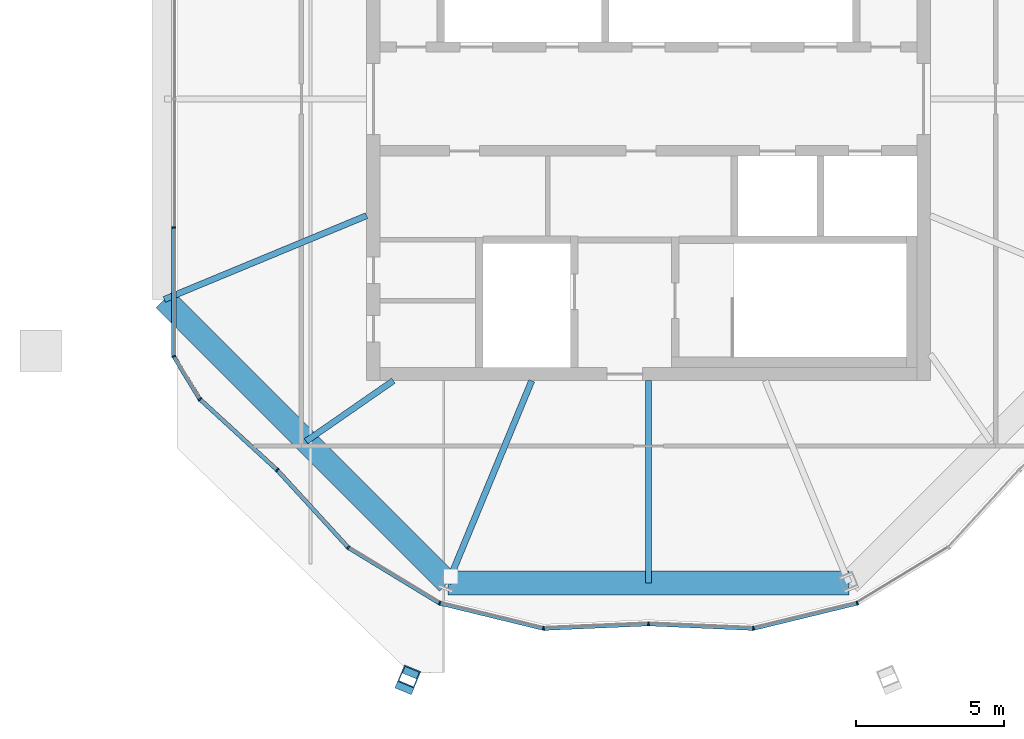
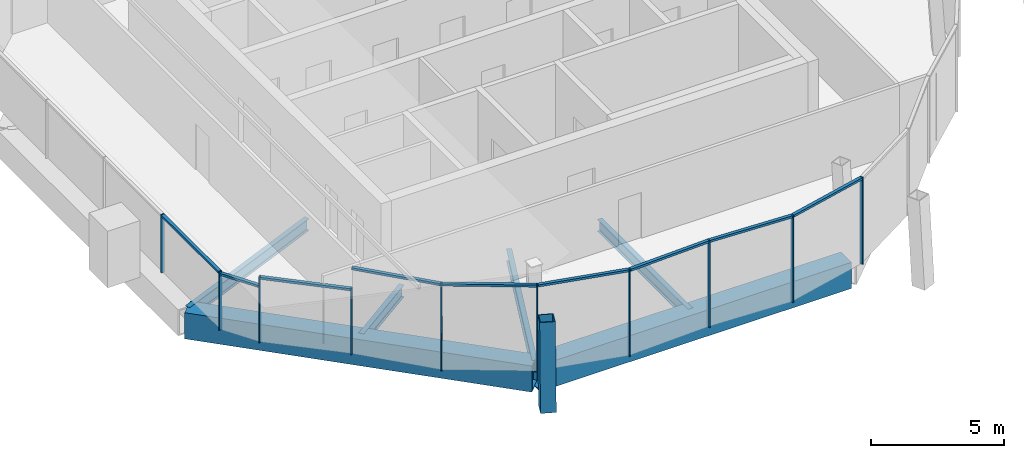
# One storey, part 2 of 23: 20 members, 6 beams, 3 elements without a shape of their own.
"""IFC4 building model written with IfcOpenShell, lengths in metres."""

from ifc_helpers import new_model, si_unit, direction, frame, origin, origin_2d, place, context, subcontext, project, spatial, rectangle, hollow_rectangle, i_section, extrude, material, material_profile, profile_set, type_object, element, aggregate, save


model = new_model("IFC4")

# Units and contexts
model_context = context("Model", 3, precision=1e-05, world=origin(), true_north=direction((0.0, 1.0)))
body_context = subcontext(model_context, "Body", "Model", "MODEL_VIEW")
ifc_project = project(units=[si_unit("LENGTHUNIT", "METRE"), si_unit("AREAUNIT", "SQUARE_METRE"), si_unit("VOLUMEUNIT", "CUBIC_METRE"), si_unit("PLANEANGLEUNIT", "RADIAN"), si_unit("MASSUNIT", "GRAM", prefix="KILO")], contexts=[model_context])

# Site, building, storey
site_placement = place(None, origin())
site = spatial("IfcSite", under=ifc_project, at=site_placement, CompositionType="ELEMENT")
building_placement = place(site_placement, origin())
building = spatial("IfcBuilding", under=site, at=building_placement, Name="Ogive Gate Towers", CompositionType="ELEMENT")
storey_placement = place(building_placement, frame((0.0, 0.0, 302.0)))
storey = spatial("IfcBuildingStorey", under=building, at=storey_placement, Name="L71", CompositionType="ELEMENT", Elevation=302.0)

# Curtain wall, members
ifc_material_1 = material(Name="Pale metal aluminium", Category="aluminium")
curtain_wall_type = type_object("IfcCurtainWallType", Name="Crown lean wall", PredefinedType="NOTDEFINED", material=ifc_material_1)
curtain_wall_1_placement = place(storey_placement, origin())
curtain_wall_1 = element("IfcCurtainWall", 1, at=curtain_wall_1_placement, inside=storey, type_object=curtain_wall_type, Name="CW5 T1 ECW05", PredefinedType="NOTDEFINED")
ifc_material_profile_1 = material_profile(ifc_material_1, rectangle(XDim=0.139892578125, YDim=0.050048828125, at=origin_2d()), Name="50 x 140 aluminium box")
ifc_profile_set_1 = profile_set([ifc_material_profile_1], Name="Pale metal aluminium")
member_type_1 = type_object("IfcMemberType", Name="Crown lean wall mullion 50 x 140", PredefinedType="MULLION", material=ifc_profile_set_1)
member_1_placement = place(storey_placement, frame((-48.511474609375, -12.51318359375, -0.300048828125), z_axis=(0.0, 0.0, 1.0), x_axis=(0.675796067943, 0.737088647689, 0.0)))
member_1 = element("IfcMember", 2, at=member_1_placement, type_object=member_type_1, Name="CW5 mullion", PredefinedType="MULLION", context=body_context, shape_type="SweptSolid", body=[
    extrude(rectangle(XDim=0.139892578125, YDim=0.050048828125, at=origin_2d()), origin(), (0.0, 0.0, 1.0), 3.025390625),
])
member_2_placement = place(storey_placement, frame((-51.12158203125, -10.119384765625, -0.300048828125), z_axis=(0.0, 0.0, 1.0), x_axis=(0.772678179868, 0.634797944511, 0.0)))
member_2 = element("IfcMember", 3, at=member_2_placement, type_object=member_type_1, Name="CW5 mullion", PredefinedType="MULLION", context=body_context, shape_type="SweptSolid", body=[
    extrude(rectangle(XDim=0.139892578125, YDim=0.050048828125, at=origin_2d()), origin(), (0.0, 0.0, 1.0), 3.025390625),
])
member_3_placement = place(storey_placement, frame((-51.99951171875, -8.67578125, -0.300048828125), z_axis=(0.0, 0.0, 1.0), x_axis=(0.962866291826, 0.269978710392, 0.0)))
member_3 = element("IfcMember", 4, at=member_3_placement, type_object=member_type_1, Name="CW5 mullion", PredefinedType="MULLION", context=body_context, shape_type="SweptSolid", body=[
    extrude(rectangle(XDim=0.139892578125, YDim=0.050048828125, at=origin_2d()), origin(), (0.0, 0.0, 1.0), 2.679931640625),
])
member_4_placement = place(storey_placement, frame((-52.00048828125, -4.333740234375, -0.300048828125), z_axis=(0.0, 0.0, 1.0), x_axis=(1.0, 0.0, 0.0)))
member_4 = element("IfcMember", 5, at=member_4_placement, type_object=member_type_1, Name="CW5 mullion", PredefinedType="MULLION", context=body_context, shape_type="SweptSolid", body=[
    extrude(rectangle(XDim=0.139892578125, YDim=0.050048828125, at=origin_2d()), origin(), (0.0, 0.0, 1.0), 2.679931640625),
])

curtain_wall_2_placement = place(storey_placement, origin())
curtain_wall_2 = element("IfcCurtainWall", 6, at=curtain_wall_2_placement, inside=storey, type_object=curtain_wall_type, Name="CW5 T1 ECW06", PredefinedType="NOTDEFINED")
member_5_placement = place(storey_placement, frame((-35.998779296875, -17.695068359375, -0.300048828125), z_axis=(0.0, 0.0, 1.0), x_axis=(-0.043340398775, 0.999060363459, 0.0)))
member_5 = element("IfcMember", 7, at=member_5_placement, type_object=member_type_1, Name="CW5 mullion", PredefinedType="MULLION", context=body_context, shape_type="SweptSolid", body=[
    extrude(rectangle(XDim=0.139892578125, YDim=0.050048828125, at=origin_2d()), origin(), (0.0, 0.0, 1.0), 4.0),
])
member_6_placement = place(storey_placement, frame((-39.537109375, -17.848388671875, -0.300048828125), z_axis=(0.0, 0.0, 1.0), x_axis=(0.097513419542, 0.995234210128, 0.0)))
member_6 = element("IfcMember", 8, at=member_6_placement, type_object=member_type_1, Name="CW5 mullion", PredefinedType="MULLION", context=body_context, shape_type="SweptSolid", body=[
    extrude(rectangle(XDim=0.139892578125, YDim=0.050048828125, at=origin_2d()), origin(), (0.0, 0.0, 1.0), 4.0),
])
member_7_placement = place(storey_placement, frame((-43.039794921875, -16.995849609375, -0.300048828125), z_axis=(0.0, 0.0, 1.0), x_axis=(0.382683432365, 0.923879532511, 0.0)))
member_7 = element("IfcMember", 9, at=member_7_placement, type_object=member_type_1, Name="CW5 mullion", PredefinedType="MULLION", context=body_context, shape_type="SweptSolid", body=[
    extrude(rectangle(XDim=0.139892578125, YDim=0.050048828125, at=origin_2d()), origin(), (0.0, 0.0, 1.0), 4.0),
])
member_8_placement = place(storey_placement, frame((-46.119384765625, -15.12158203125, -0.300048828125), z_axis=(0.0, 0.0, 1.0), x_axis=(0.634784458636, 0.772689259065, 0.0)))
member_8 = element("IfcMember", 10, at=member_8_placement, type_object=member_type_1, Name="CW5 mullion", PredefinedType="MULLION", context=body_context, shape_type="SweptSolid", body=[
    extrude(rectangle(XDim=0.139892578125, YDim=0.050048828125, at=origin_2d()), origin(), (0.0, 0.0, 1.0), 4.0),
])

curtain_wall_3_placement = place(storey_placement, origin())
curtain_wall_3 = element("IfcCurtainWall", 11, at=curtain_wall_3_placement, inside=storey, type_object=curtain_wall_type, Name="CW5 T1 ECW07", PredefinedType="NOTDEFINED")
member_9_placement = place(storey_placement, frame((-28.960205078125, -16.995849609375, -0.300048828125), z_axis=(0.0, 0.0, 1.0), x_axis=(-0.382683432365, 0.923879532511, 0.0)))
member_9 = element("IfcMember", 12, at=member_9_placement, type_object=member_type_1, Name="CW5 mullion", PredefinedType="MULLION", context=body_context, shape_type="SweptSolid", body=[
    extrude(rectangle(XDim=0.139892578125, YDim=0.050048828125, at=origin_2d()), origin(), (0.0, 0.0, 1.0), 4.0),
])
member_10_placement = place(storey_placement, frame((-32.462890625, -17.848388671875, -0.300048828125), z_axis=(0.0, 0.0, 1.0), x_axis=(-0.097513419542, 0.995234210128, 0.0)))
member_10 = element("IfcMember", 13, at=member_10_placement, type_object=member_type_1, Name="CW5 mullion", PredefinedType="MULLION", context=body_context, shape_type="SweptSolid", body=[
    extrude(rectangle(XDim=0.139892578125, YDim=0.050048828125, at=origin_2d()), origin(), (0.0, 0.0, 1.0), 4.0),
])

# Member
ifc_material_profile_2 = material_profile(ifc_material_1, rectangle(XDim=0.139892578125, YDim=0.10009765625, at=origin_2d()), Name="100 x 140 aluminium box")
ifc_profile_set_2 = profile_set([ifc_material_profile_2], Name="Pale metal aluminium")
member_type_2 = type_object("IfcMemberType", Name="Crown lean wall transom 100 x 140", PredefinedType="USERDEFINED", material=ifc_profile_set_2)
member_11_placement = place(storey_placement, frame((-48.52978515625, -12.496337890625, 2.67529296875), z_axis=(-0.73706986576, 0.675816552763, 0.0), x_axis=(-0.675816552763, -0.73706986576, 0.0)))
member_11 = element("IfcMember", 14, at=member_11_placement, type_object=member_type_2, Name="CW5 transom", ObjectType="TRANSOM", PredefinedType="USERDEFINED", context=body_context, shape_type="SweptSolid", body=[
    extrude(rectangle(XDim=0.139892578125, YDim=0.10009765625, at=origin_2d()), origin(), (0.0, 0.0, 1.0), 3.487548828125),
])

member_12_placement = place(storey_placement, frame((-51.13720703125, -10.0947265625, 2.285400390625), z_axis=(-0.519846993653, 0.854259388704, 0.0), x_axis=(-0.854259388704, -0.519846993653, 0.0)))
member_12 = element("IfcMember", 15, at=member_12_placement, type_object=member_type_2, Name="CW5 transom", ObjectType="TRANSOM", PredefinedType="USERDEFINED", context=body_context, shape_type="SweptSolid", body=[
    extrude(rectangle(XDim=0.139892578125, YDim=0.10009765625, at=origin_2d()), origin(), (0.0, 0.0, 1.0), 1.627197265625),
])

member_13_placement = place(storey_placement, frame((-52.00048828125, -8.642578125, 2.330078125), z_axis=(0.0, 1.0, 0.0), x_axis=(-1.0, 0.0, 0.0)))
member_13 = element("IfcMember", 16, at=member_13_placement, type_object=member_type_2, Name="CW5 transom", ObjectType="TRANSOM", PredefinedType="USERDEFINED", context=body_context, shape_type="SweptSolid", body=[
    extrude(rectangle(XDim=0.139892578125, YDim=0.10009765625, at=origin_2d()), origin(), (0.0, 0.0, 1.0), 4.28369140625),
])

aggregate(curtain_wall_1, [member_1, member_2, member_11, member_3, member_12, member_4, member_13])

member_14_placement = place(storey_placement, frame((-36.023681640625, -17.6962890625, 3.64990234375), z_axis=(-0.999060643989, -0.043333931654, 0.0), x_axis=(0.043333931654, -0.999060643989, 0.0)))
member_14 = element("IfcMember", 17, at=member_14_placement, type_object=member_type_2, Name="CW5 transom", ObjectType="TRANSOM", PredefinedType="USERDEFINED", context=body_context, shape_type="SweptSolid", body=[
    extrude(rectangle(XDim=0.139892578125, YDim=0.10009765625, at=origin_2d()), origin(), (0.0, 0.0, 1.0), 3.4873046875),
])

member_15_placement = place(storey_placement, frame((-39.565673828125, -17.841552734375, 3.64990234375), z_axis=(-0.971665893782, 0.236358606487, 0.0), x_axis=(-0.236358606487, -0.971665893782, 0.0)))
member_15 = element("IfcMember", 18, at=member_15_placement, type_object=member_type_2, Name="CW5 transom", ObjectType="TRANSOM", PredefinedType="USERDEFINED", context=body_context, shape_type="SweptSolid", body=[
    extrude(rectangle(XDim=0.139892578125, YDim=0.10009765625, at=origin_2d()), origin(), (0.0, 0.0, 1.0), 3.546142578125),
])

member_16_placement = place(storey_placement, frame((-43.0654296875, -16.980712890625, 3.64990234375), z_axis=(-0.854250400088, 0.51986176427, 0.0), x_axis=(-0.51986176427, -0.854250400088, 0.0)))
member_16 = element("IfcMember", 19, at=member_16_placement, type_object=member_type_2, Name="CW5 transom", ObjectType="TRANSOM", PredefinedType="USERDEFINED", context=body_context, shape_type="SweptSolid", body=[
    extrude(rectangle(XDim=0.139892578125, YDim=0.10009765625, at=origin_2d()), origin(), (0.0, 0.0, 1.0), 3.546142578125),
])

member_17_placement = place(storey_placement, frame((-46.139404296875, -15.100341796875, 3.64990234375), z_axis=(-0.675816552763, 0.73706986576, 0.0), x_axis=(-0.73706986576, -0.675816552763, 0.0)))
member_17 = element("IfcMember", 20, at=member_17_placement, type_object=member_type_2, Name="CW5 transom", ObjectType="TRANSOM", PredefinedType="USERDEFINED", context=body_context, shape_type="SweptSolid", body=[
    extrude(rectangle(XDim=0.139892578125, YDim=0.10009765625, at=origin_2d()), origin(), (0.0, 0.0, 1.0), 3.487548828125),
])

aggregate(curtain_wall_2, [member_5, member_6, member_14, member_7, member_15, member_8, member_16, member_17])

member_18_placement = place(storey_placement, frame((-28.98876953125, -17.00341796875, 3.64990234375), z_axis=(-0.971665893782, -0.236358606487, 0.0), x_axis=(0.236358606487, -0.971665893782, 0.0)))
member_18 = element("IfcMember", 21, at=member_18_placement, type_object=member_type_2, Name="CW5 transom", ObjectType="TRANSOM", PredefinedType="USERDEFINED", context=body_context, shape_type="SweptSolid", body=[
    extrude(rectangle(XDim=0.139892578125, YDim=0.10009765625, at=origin_2d()), origin(), (0.0, 0.0, 1.0), 3.546142578125),
])

member_19_placement = place(storey_placement, frame((-32.4921875, -17.847412109375, 3.64990234375), z_axis=(-0.999060643989, 0.043333931654, 0.0), x_axis=(-0.043333931654, -0.999060643989, 0.0)))
member_19 = element("IfcMember", 22, at=member_19_placement, type_object=member_type_2, Name="CW5 transom", ObjectType="TRANSOM", PredefinedType="USERDEFINED", context=body_context, shape_type="SweptSolid", body=[
    extrude(rectangle(XDim=0.139892578125, YDim=0.10009765625, at=origin_2d()), origin(), (0.0, 0.0, 1.0), 3.4873046875),
])

aggregate(curtain_wall_3, [member_9, member_10, member_18, member_19])

ifc_material_2 = material(Name="Steel SM460", Category="steel")
ifc_material_profile_3 = material_profile(ifc_material_2, hollow_rectangle(XDim=0.60009765625, YDim=0.60009765625, WallThickness=0.0400390625, at=origin_2d()), Name="BX 600x600x40")
ifc_profile_set_3 = profile_set([ifc_material_profile_3], Name="Steel SM460")
member_type_3 = type_object("IfcMemberType", Name="Crown rib BX 600x600x40", PredefinedType="MEMBER", material=ifc_profile_set_3)
member_20_placement = place(storey_placement, frame((-44.1572265625, -19.693115234375, 0.0), z_axis=(0.02339375174, 0.056413057581, 0.998133407573), x_axis=(-0.923724896159, 0.383056544411, 0.0)))
element("IfcMember", 23, at=member_20_placement, inside=storey, type_object=member_type_3, Name="T1/L71/STR004", PredefinedType="MEMBER", context=body_context, shape_type="SweptSolid", body=[
    extrude(hollow_rectangle(XDim=0.60009765625, YDim=0.60009765625, WallThickness=0.0400390625, at=origin_2d()), origin(), (0.0, 0.0, 1.0), 4.007568359375),
])

# Beams
ifc_material_profile_4 = material_profile(ifc_material_2, hollow_rectangle(XDim=0.800048828125, YDim=1.199951171875, WallThickness=0.050048828125, at=origin_2d()), Name="BX 1200x800x50")
ifc_profile_set_4 = profile_set([ifc_material_profile_4], Name="Steel SM460")
beam_type_1 = type_object("IfcBeamType", Name="Edge girder BX 1200x800x50", PredefinedType="BEAM", material=ifc_profile_set_4)
beam_1_placement = place(storey_placement, frame((-52.3203125, -6.760009765625, -0.89990234375), z_axis=(0.707106781187, -0.707106781187, 0.0), x_axis=(0.707106781187, 0.707106781187, 0.0)))
element("IfcBeam", 24, at=beam_1_placement, inside=storey, type_object=beam_type_1, Name="T1/L71/SBM017", PredefinedType="BEAM", context=body_context, shape_type="SweptSolid", body=[
    extrude(hollow_rectangle(XDim=0.800048828125, YDim=1.199951171875, WallThickness=0.050048828125, at=origin_2d()), origin(), (0.0, 0.0, 1.0), 13.520263671875),
])
beam_2_placement = place(storey_placement, frame((-42.760009765625, -16.3203125, -0.89990234375), z_axis=(1.0, 0.0, 0.0), x_axis=(0.0, 1.0, 0.0)))
element("IfcBeam", 25, at=beam_2_placement, inside=storey, type_object=beam_type_1, Name="T1/L71/SBM018", PredefinedType="BEAM", context=body_context, shape_type="SweptSolid", body=[
    extrude(hollow_rectangle(XDim=0.800048828125, YDim=1.199951171875, WallThickness=0.050048828125, at=origin_2d()), origin(), (0.0, 0.0, 1.0), 13.52001953125),
])
ifc_material_3 = material(Name="Steel SM355", Category="steel")
ifc_material_profile_5 = material_profile(ifc_material_3, i_section(OverallWidth=0.2099609375, OverallDepth=0.550048828125, WebThickness=0.010986328125, FlangeThickness=0.01708984375, FilletRadius=0.02392578125, at=origin_2d()), Name="IPE 550")
ifc_profile_set_5 = profile_set([ifc_material_profile_5], Name="Steel SM355")
beam_type_2 = type_object("IfcBeamType", Name="Radial floor beam IPE 550", PredefinedType="BEAM", material=ifc_profile_set_5)
beam_3_placement = place(storey_placement, frame((-45.5, -3.93505859375, -0.574951171875), z_axis=(-0.923885028825, -0.38267016282, 0.0), x_axis=(0.38267016282, -0.923885028825, 0.0)))
element("IfcBeam", 26, at=beam_3_placement, inside=storey, type_object=beam_type_2, Name="T1/L71/SBM001", PredefinedType="BEAM", context=body_context, shape_type="SweptSolid", body=[
    extrude(i_section(OverallWidth=0.2099609375, OverallDepth=0.550048828125, WebThickness=0.010986328125, FlangeThickness=0.01708984375, FilletRadius=0.02392578125, at=origin_2d()), origin(), (0.0, 0.0, 1.0), 7.38232421875),
])
beam_4_placement = place(storey_placement, frame((-44.60009765625, -9.5, -0.574951171875), z_axis=(-0.821567898458, -0.570110680679, 0.0), x_axis=(0.570110680679, -0.821567898458, 0.0)))
element("IfcBeam", 27, at=beam_4_placement, inside=storey, type_object=beam_type_2, Name="T1/L71/SBM002", PredefinedType="BEAM", context=body_context, shape_type="SweptSolid", body=[
    extrude(i_section(OverallWidth=0.2099609375, OverallDepth=0.550048828125, WebThickness=0.010986328125, FlangeThickness=0.01708984375, FilletRadius=0.02392578125, at=origin_2d()), origin(), (0.0, 0.0, 1.0), 3.578857421875),
])
beam_5_placement = place(storey_placement, frame((-39.93505859375, -9.5, -0.574951171875), z_axis=(-0.38267016282, -0.923885028825, 0.0), x_axis=(0.923885028825, -0.38267016282, 0.0)))
element("IfcBeam", 28, at=beam_5_placement, inside=storey, type_object=beam_type_2, Name="T1/L71/SBM003", PredefinedType="BEAM", context=body_context, shape_type="SweptSolid", body=[
    extrude(i_section(OverallWidth=0.2099609375, OverallDepth=0.550048828125, WebThickness=0.010986328125, FlangeThickness=0.01708984375, FilletRadius=0.02392578125, at=origin_2d()), origin(), (0.0, 0.0, 1.0), 7.38232421875),
])
beam_6_placement = place(storey_placement, frame((-36.0, -9.5, -0.574951171875), z_axis=(0.0, -1.0, 0.0), x_axis=(1.0, 0.0, 0.0)))
element("IfcBeam", 29, at=beam_6_placement, inside=storey, type_object=beam_type_2, Name="T1/L71/SBM004", PredefinedType="BEAM", context=body_context, shape_type="SweptSolid", body=[
    extrude(i_section(OverallWidth=0.2099609375, OverallDepth=0.550048828125, WebThickness=0.010986328125, FlangeThickness=0.01708984375, FilletRadius=0.02392578125, at=origin_2d()), origin(), (0.0, 0.0, 1.0), 6.8203125),
])

save(model, "model.ifc")
